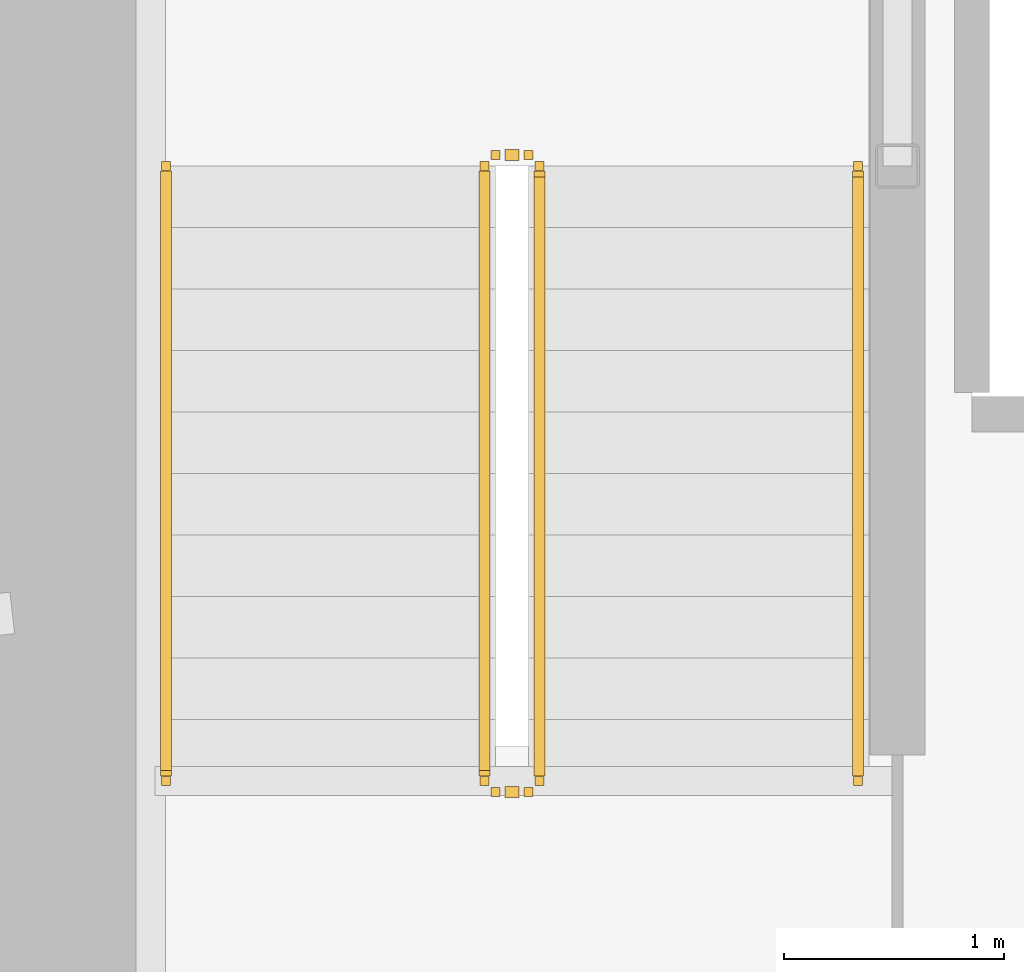
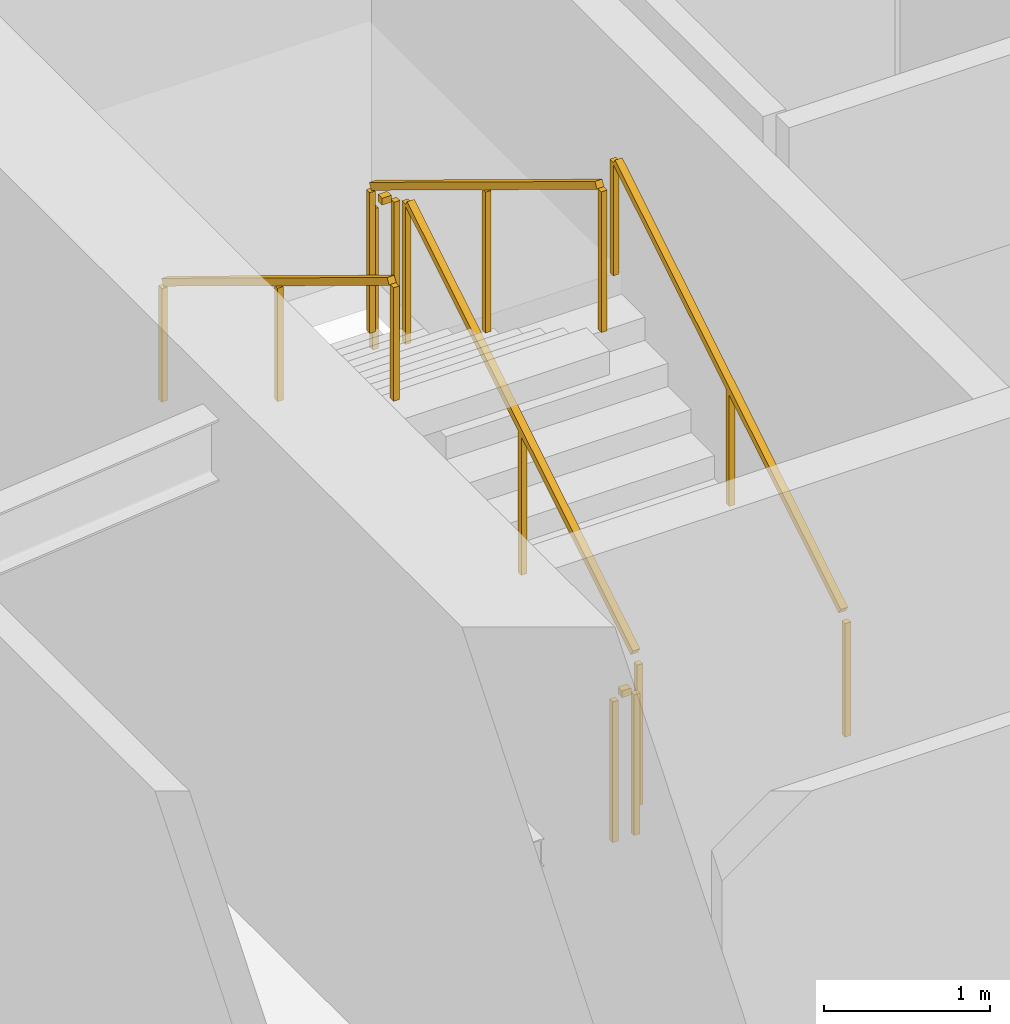
# One storey, part 17 of 20: 6 railings.
"""IFC4 building model written with IfcOpenShell, lengths in metres."""

from ifc_helpers import new_model, si_unit, direction, frame, origin, origin_2d, place, context, subcontext, project, spatial, rectangle, extrude, material, type_object, element, save


model = new_model("IFC4")

# Units and contexts
model_context = context("Model", 3, precision=1e-05, world=origin(), true_north=direction((0.0, 1.0)))
body_context = subcontext(model_context, "Body", "Model", "MODEL_VIEW")
ifc_project = project(units=[si_unit("LENGTHUNIT", "METRE"), si_unit("AREAUNIT", "SQUARE_METRE"), si_unit("VOLUMEUNIT", "CUBIC_METRE"), si_unit("PLANEANGLEUNIT", "RADIAN"), si_unit("MASSUNIT", "GRAM", prefix="KILO")], contexts=[model_context])

# Site, building, storey
site_placement = place(None, origin())
site = spatial("IfcSite", under=ifc_project, at=site_placement, CompositionType="ELEMENT")
building_placement = place(site_placement, origin())
building = spatial("IfcBuilding", under=site, at=building_placement, Name="Kazma Halo Residences", CompositionType="ELEMENT")
storey_placement = place(building_placement, frame((0.0, 0.0, 146.550048828125)))
storey = spatial("IfcBuildingStorey", under=building, at=storey_placement, Name="L36", CompositionType="ELEMENT", Elevation=146.550048828125)

# Railings
ifc_material_1 = material(Name="Painted Steel S355", Category="steel")
railing_type_1 = type_object("IfcRailingType", Name="RLG-STAIR-GRD-1100", PredefinedType="GUARDRAIL", material=ifc_material_1)
railing_1_placement = place(storey_placement, frame((39.550048828125, 39.949951171875, 0.17041015625)))
element("IfcRailing", 1, at=railing_1_placement, inside=storey, type_object=railing_type_1, Name="L36 ST-01 stair guard 1", PredefinedType="GUARDRAIL", context=body_context, shape_type="SweptSolid", body=[
    extrude(rectangle(XDim=0.050048828125, YDim=0.050048828125, at=origin_2d()), frame((0.0, 0.036376953125, 1.09716796875), z_axis=(0.0, 0.854169791009, 0.51999420009), x_axis=(-1.0, 0.0, 0.0)), (0.0, 0.0, 1.0), 3.193115234375),
    extrude(rectangle(XDim=0.0400390625, YDim=0.0400390625, at=origin_2d()), origin(), (0.0, 0.0, 1.0), 1.0380859375),
    extrude(rectangle(XDim=0.0400390625, YDim=0.0400390625, at=origin_2d()), frame((0.0, 1.39990234375, 0.852294921875)), (0.0, 0.0, 1.0), 1.0380859375),
    extrude(rectangle(XDim=0.0400390625, YDim=0.0400390625, at=origin_2d()), frame((0.0, 2.800048828125, 1.70458984375)), (0.0, 0.0, 1.0), 1.0380859375),
])
railing_2_placement = place(storey_placement, frame((39.5, 42.800048828125, 1.875)))
element("IfcRailing", 2, at=railing_2_placement, inside=storey, type_object=railing_type_1, Name="L36 ST-01 stair guard 2", PredefinedType="GUARDRAIL", context=body_context, shape_type="SweptSolid", body=[
    extrude(rectangle(XDim=0.050048828125, YDim=0.050048828125, at=origin_2d()), frame((-0.04248046875, 0.0, 1.0751953125), z_axis=(-1.0, 0.0, 0.0), x_axis=(0.0, -1.0, 0.0)), (0.0, 0.0, 1.0), 0.06494140625),
    extrude(rectangle(XDim=0.0400390625, YDim=0.0400390625, at=origin_2d()), origin(), (0.0, 0.0, 1.0), 1.0380859375),
    extrude(rectangle(XDim=0.0400390625, YDim=0.0400390625, at=origin_2d()), frame((-0.14990234375, 0.0, 0.0)), (0.0, 0.0, 1.0), 1.0380859375),
])
railing_3_placement = place(storey_placement, frame((39.300048828125, 42.75, 2.04541015625)))
element("IfcRailing", 3, at=railing_3_placement, inside=storey, type_object=railing_type_1, Name="L36 ST-01 stair guard 3", PredefinedType="GUARDRAIL", context=body_context, shape_type="SweptSolid", body=[
    extrude(rectangle(XDim=0.050048828125, YDim=0.050048828125, at=origin_2d()), frame((0.0, -0.036376953125, 1.09716796875), z_axis=(0.0, -0.854169791009, 0.51999420009), x_axis=(1.0, 0.0, 0.0)), (0.0, 0.0, 1.0), 3.193115234375),
    extrude(rectangle(XDim=0.0400390625, YDim=0.0400390625, at=origin_2d()), origin(), (0.0, 0.0, 1.0), 1.0380859375),
    extrude(rectangle(XDim=0.0400390625, YDim=0.0400390625, at=origin_2d()), frame((0.0, -1.39990234375, 0.852294921875)), (0.0, 0.0, 1.0), 1.0380859375),
    extrude(rectangle(XDim=0.0400390625, YDim=0.0400390625, at=origin_2d()), frame((0.0, -2.800048828125, 1.70458984375)), (0.0, 0.0, 1.0), 1.0380859375),
])
railing_4_placement = place(storey_placement, frame((39.5, 39.89990234375, 0.0)))
element("IfcRailing", 4, at=railing_4_placement, inside=storey, type_object=railing_type_1, Name="L36 ST-01 stair guard 4", PredefinedType="GUARDRAIL", context=body_context, shape_type="SweptSolid", body=[
    extrude(rectangle(XDim=0.050048828125, YDim=0.050048828125, at=origin_2d()), frame((-0.04248046875, 0.0, 1.0751953125), z_axis=(-1.0, 0.0, 0.0), x_axis=(0.0, -1.0, 0.0)), (0.0, 0.0, 1.0), 0.06494140625),
    extrude(rectangle(XDim=0.0400390625, YDim=0.0400390625, at=origin_2d()), origin(), (0.0, 0.0, 1.0), 1.0380859375),
    extrude(rectangle(XDim=0.0400390625, YDim=0.0400390625, at=origin_2d()), frame((-0.14990234375, 0.0, 0.0)), (0.0, 0.0, 1.0), 1.0380859375),
])
ifc_material_2 = material(Name="Brushed Stainless Steel", Category="steel")
railing_type_2 = type_object("IfcRailingType", Name="RLG-STAIR-HND-900", PredefinedType="HANDRAIL", material=ifc_material_2)
railing_5_placement = place(storey_placement, frame((41.0, 39.949951171875, 0.17041015625)))
element("IfcRailing", 5, at=railing_5_placement, inside=storey, type_object=railing_type_2, Name="L36 ST-01 stair handrail 1", PredefinedType="HANDRAIL", context=body_context, shape_type="SweptSolid", body=[
    extrude(rectangle(XDim=0.050048828125, YDim=0.050048828125, at=origin_2d()), frame((0.0, 0.036376953125, 0.89697265625), z_axis=(0.0, 0.854169791009, 0.51999420009), x_axis=(-1.0, 0.0, 0.0)), (0.0, 0.0, 1.0), 3.193115234375),
    extrude(rectangle(XDim=0.0400390625, YDim=0.0400390625, at=origin_2d()), origin(), (0.0, 0.0, 1.0), 0.837890625),
    extrude(rectangle(XDim=0.0400390625, YDim=0.0400390625, at=origin_2d()), frame((0.0, 1.39990234375, 0.852294921875)), (0.0, 0.0, 1.0), 0.837890625),
    extrude(rectangle(XDim=0.0400390625, YDim=0.0400390625, at=origin_2d()), frame((0.0, 2.800048828125, 1.70458984375)), (0.0, 0.0, 1.0), 0.837890625),
])
railing_6_placement = place(storey_placement, frame((37.85009765625, 42.75, 2.04541015625)))
element("IfcRailing", 6, at=railing_6_placement, inside=storey, type_object=railing_type_2, Name="L36 ST-01 stair handrail 2", PredefinedType="HANDRAIL", context=body_context, shape_type="SweptSolid", body=[
    extrude(rectangle(XDim=0.050048828125, YDim=0.050048828125, at=origin_2d()), frame((0.0, -0.036376953125, 0.89697265625), z_axis=(0.0, -0.854169791009, 0.51999420009), x_axis=(1.0, 0.0, 0.0)), (0.0, 0.0, 1.0), 3.193115234375),
    extrude(rectangle(XDim=0.0400390625, YDim=0.0400390625, at=origin_2d()), origin(), (0.0, 0.0, 1.0), 0.837890625),
    extrude(rectangle(XDim=0.0400390625, YDim=0.0400390625, at=origin_2d()), frame((0.0, -1.39990234375, 0.852294921875)), (0.0, 0.0, 1.0), 0.837890625),
    extrude(rectangle(XDim=0.0400390625, YDim=0.0400390625, at=origin_2d()), frame((0.0, -2.800048828125, 1.70458984375)), (0.0, 0.0, 1.0), 0.837890625),
])

save(model, "model.ifc")
